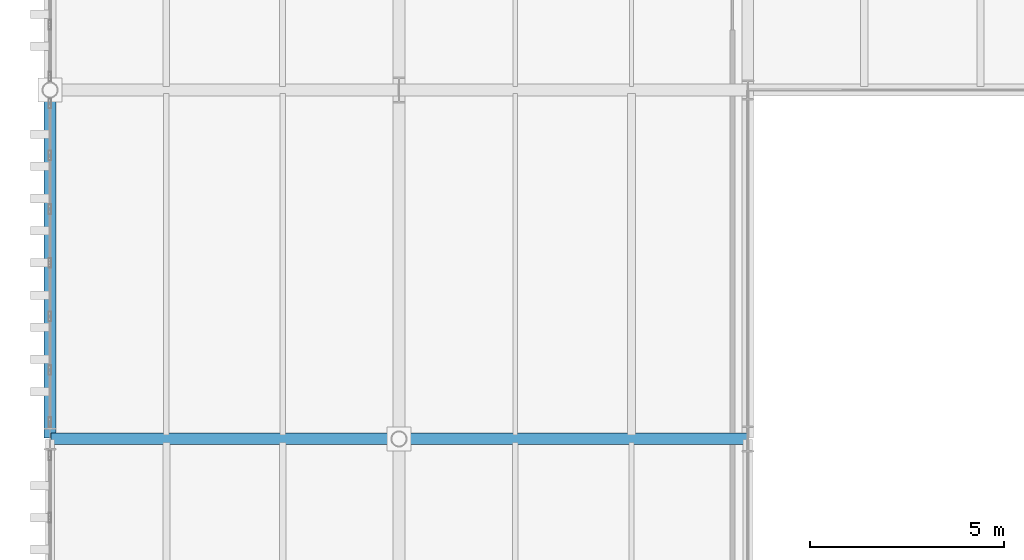
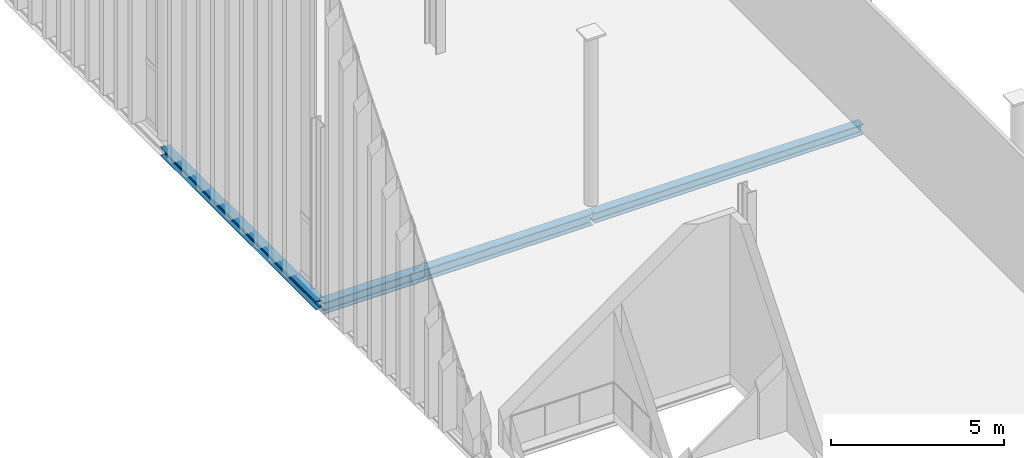
# One storey, part 59 of 237: 3 beams.
"""IFC4 building model written with IfcOpenShell, lengths in metres."""

from ifc_helpers import new_model, si_unit, direction, frame, origin, origin_2d, place, context, subcontext, project, spatial, i_section, extrude, material, material_profile, profile_set, type_object, element, save


model = new_model("IFC4")

# Units and contexts
model_context = context("Model", 3, precision=1e-05, world=origin(), true_north=direction((0.0, 1.0)))
body_context = subcontext(model_context, "Body", "Model", "MODEL_VIEW")
ifc_project = project(units=[si_unit("LENGTHUNIT", "METRE"), si_unit("AREAUNIT", "SQUARE_METRE"), si_unit("VOLUMEUNIT", "CUBIC_METRE"), si_unit("PLANEANGLEUNIT", "RADIAN"), si_unit("MASSUNIT", "GRAM", prefix="KILO")], contexts=[model_context])

# Site, building, storey
site_placement = place(None, origin())
site = spatial("IfcSite", under=ifc_project, at=site_placement, CompositionType="ELEMENT")
building_placement = place(site_placement, origin())
building = spatial("IfcBuilding", under=site, at=building_placement, Name="Barlavento Convention Centre", CompositionType="ELEMENT")
storey_placement = place(building_placement, frame((0.0, 0.0, 12.0)))
storey = spatial("IfcBuildingStorey", under=building, at=storey_placement, Name="L02", CompositionType="ELEMENT", Elevation=12.0)

# Beams
ifc_material = material(Name="Steel S355", Category="steel")
ifc_material_profile_1 = material_profile(ifc_material, i_section(OverallWidth=0.300048828125, OverallDepth=0.360107421875, WebThickness=0.012451171875, FlangeThickness=0.0224609375, FilletRadius=0.027099609375, at=origin_2d()), Name="HEB 360")
ifc_profile_set_1 = profile_set([ifc_material_profile_1], Name="Steel S355")
beam_type_1 = type_object("IfcBeamType", Name="STR-BM-PRI-HEB360", PredefinedType="BEAM", material=ifc_profile_set_1)
beam_1_placement = place(storey_placement, frame((9.02001953125, 36.0, -0.47998046875), z_axis=(1.0, 0.0, 0.0), x_axis=(0.0, 1.0, 0.0)))
element("IfcBeam", 1, at=beam_1_placement, inside=storey, type_object=beam_type_1, Name="L02 primary girder BG12", PredefinedType="BEAM", context=body_context, shape_type="SweptSolid", body=[
    extrude(i_section(OverallWidth=0.300048828125, OverallDepth=0.360107421875, WebThickness=0.012451171875, FlangeThickness=0.0224609375, FilletRadius=0.027099609375, at=origin_2d()), origin(), (0.0, 0.0, 1.0), 8.9599609375),
])
ifc_material_profile_2 = material_profile(ifc_material, i_section(OverallWidth=0.300048828125, OverallDepth=0.39990234375, WebThickness=0.013427734375, FlangeThickness=0.02392578125, FilletRadius=0.027099609375, at=origin_2d()), Name="HEB 400")
ifc_profile_set_2 = profile_set([ifc_material_profile_2], Name="Steel S355")
beam_type_2 = type_object("IfcBeamType", Name="STR-BM-PRI-HEB400", PredefinedType="BEAM", material=ifc_profile_set_2)
beam_2_placement = place(storey_placement, frame((0.02001953125, 36.0, -0.5), z_axis=(1.0, 0.0, 0.0), x_axis=(0.0, 1.0, 0.0)))
element("IfcBeam", 2, at=beam_2_placement, inside=storey, type_object=beam_type_2, Name="L02 primary girder BG11", PredefinedType="BEAM", context=body_context, shape_type="SweptSolid", body=[
    extrude(i_section(OverallWidth=0.300048828125, OverallDepth=0.39990234375, WebThickness=0.013427734375, FlangeThickness=0.02392578125, FilletRadius=0.027099609375, at=origin_2d()), origin(), (0.0, 0.0, 1.0), 8.9599609375),
])
ifc_material_profile_3 = material_profile(ifc_material, i_section(OverallWidth=0.300048828125, OverallDepth=0.2900390625, WebThickness=0.008544921875, FlangeThickness=0.013916015625, FilletRadius=0.027099609375, at=origin_2d()), Name="HEA 300")
ifc_profile_set_3 = profile_set([ifc_material_profile_3], Name="Steel S355")
beam_type_3 = type_object("IfcBeamType", Name="STR-BM-SPN-HEA300", PredefinedType="SPANDREL", material=ifc_profile_set_3)
beam_3_placement = place(storey_placement, frame((0.0, 36.02001953125, -0.445068359375), z_axis=(0.0, 1.0, 0.0), x_axis=(-1.0, 0.0, 0.0)))
element("IfcBeam", 3, at=beam_3_placement, inside=storey, type_object=beam_type_3, Name="L02 grid girder SP02", PredefinedType="SPANDREL", context=body_context, shape_type="SweptSolid", body=[
    extrude(i_section(OverallWidth=0.300048828125, OverallDepth=0.2900390625, WebThickness=0.008544921875, FlangeThickness=0.013916015625, FilletRadius=0.027099609375, at=origin_2d()), origin(), (0.0, 0.0, 1.0), 8.9599609375),
])

save(model, "model.ifc")
